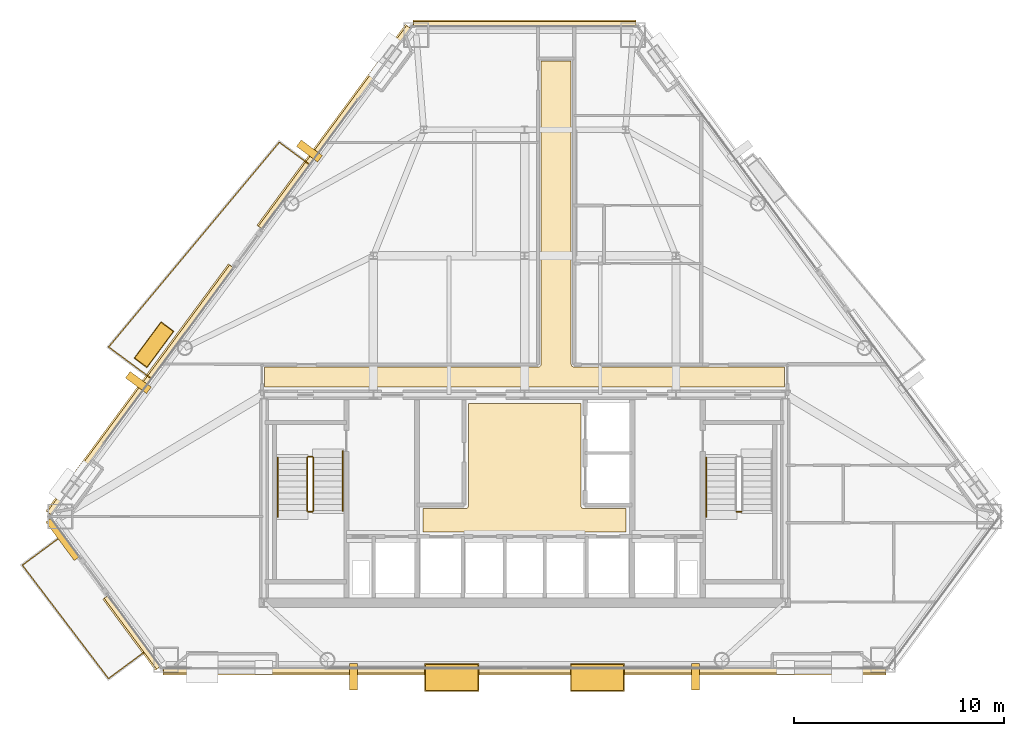
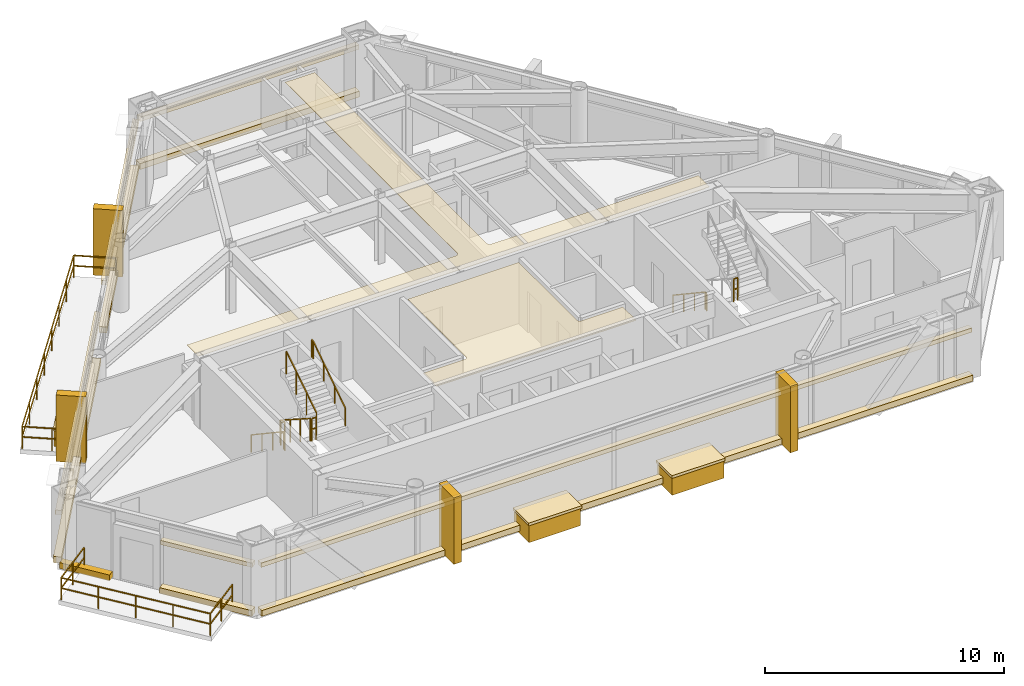
# One storey, part 10 of 11: 23 coverings, 10 railings.
"""IFC4 building model written with IfcOpenShell, lengths in metres."""

from ifc_helpers import new_model, si_unit, direction, frame, origin, origin_2d, place, context, subcontext, project, spatial, polyline, rectangle, outline, extrude, material, layer, layer_set, type_object, element, save


model = new_model("IFC4")

# Units and contexts
model_context = context("Model", 3, precision=1e-05, world=origin(), true_north=direction((0.0, 1.0)))
body_context = subcontext(model_context, "Body", "Model", "MODEL_VIEW")
ifc_project = project(units=[si_unit("LENGTHUNIT", "METRE"), si_unit("AREAUNIT", "SQUARE_METRE"), si_unit("VOLUMEUNIT", "CUBIC_METRE"), si_unit("PLANEANGLEUNIT", "RADIAN"), si_unit("MASSUNIT", "GRAM", prefix="KILO")], contexts=[model_context])

# Site, building, storey
site_placement = place(None, origin())
site = spatial("IfcSite", under=ifc_project, at=site_placement, CompositionType="ELEMENT")
building_placement = place(site_placement, origin())
building = spatial("IfcBuilding", under=site, at=building_placement, Name="Talgorran Terracotta Tower", CompositionType="ELEMENT")
storey_placement = place(building_placement, frame((0.0, 0.0, 129.300048828125)))
storey = spatial("IfcBuildingStorey", under=building, at=storey_placement, Name="L33", CompositionType="ELEMENT", Elevation=129.300048828125)

# Coverings
ifc_material_1 = material(Name="Kiln-Fired Terracotta Ochre Ceramic", Category="masonry")
ifc_layer_1 = layer(ifc_material_1, 0.179931640625, Name="COV_BAGUETTE_TERRACOTTA_SCREEN")
ifc_layer_set_1 = layer_set([ifc_layer_1], Name="Kiln-Fired Terracotta Ochre Ceramic")
covering_type_1 = type_object("IfcCoveringType", Name="COV_BAGUETTE_TERRACOTTA_SCREEN", PredefinedType="CLADDING", material=ifc_layer_set_1)
covering_1_placement = place(storey_placement, frame((-18.651611328125, -15.502197265625, 2.41015625), z_axis=(0.0, 0.0, 1.0), x_axis=(0.594359699802, -0.804199320598, 0.0)))
element("IfcCovering", 1, at=covering_1_placement, inside=storey, type_object=covering_type_1, Name="L33 Terracotta Baguette Solar Screen Assembly F11", PredefinedType="CLADDING", context=body_context, shape_type="SweptSolid", body=[
    extrude(rectangle(XDim=4.197021484375, YDim=0.260009765625, at=origin_2d()), origin(), (0.0, 0.0, 1.0), 0.219970703125),
])
covering_2_placement = place(storey_placement, frame((0.0, -17.31884765625, 2.41015625), z_axis=(0.0, 0.0, 1.0), x_axis=(1.0, 0.0, 0.0)))
element("IfcCovering", 2, at=covering_2_placement, inside=storey, type_object=covering_type_1, Name="L33 Terracotta Baguette Solar Screen Assembly F1", PredefinedType="CLADDING", context=body_context, shape_type="SweptSolid", body=[
    extrude(rectangle(XDim=34.377197265625, YDim=0.260009765625, at=origin_2d()), origin(), (0.0, 0.0, 1.0), 0.219970703125),
])
covering_3_placement = place(storey_placement, frame((0.0, 13.41357421875, 2.41015625), z_axis=(0.0, 0.0, 1.0), x_axis=(-1.0, 0.0, 0.0)))
element("IfcCovering", 3, at=covering_3_placement, inside=storey, type_object=covering_type_1, Name="L33 Terracotta Baguette Solar Screen Assembly F4", PredefinedType="CLADDING", context=body_context, shape_type="SweptSolid", body=[
    extrude(rectangle(XDim=10.586669921875, YDim=0.260009765625, at=origin_2d()), origin(), (0.0, 0.0, 1.0), 0.219970703125),
])
covering_4_placement = place(storey_placement, frame((-9.037109375, 8.510986328125, 2.41015625), z_axis=(0.0, 0.0, 1.0), x_axis=(-0.594359699802, -0.804199320598, 0.0)))
element("IfcCovering", 4, at=covering_4_placement, inside=storey, type_object=covering_type_1, Name="L33 Terracotta Baguette Solar Screen Assembly F60", PredefinedType="CLADDING", context=body_context, shape_type="SweptSolid", body=[
    extrude(rectangle(XDim=11.871337890625, YDim=0.260009765625, at=origin_2d()), origin(), (0.0, 0.0, 1.0), 0.219970703125),
])
covering_5_placement = place(storey_placement, frame((-18.2705078125, -3.982421875, 2.41015625), z_axis=(0.0, 0.0, 1.0), x_axis=(-0.594359699802, -0.804199320598, 0.0)))
element("IfcCovering", 5, at=covering_5_placement, inside=storey, type_object=covering_type_1, Name="L33 Terracotta Baguette Solar Screen Assembly F61", PredefinedType="CLADDING", context=body_context, shape_type="SweptSolid", body=[
    extrude(rectangle(XDim=14.598388671875, YDim=0.260009765625, at=origin_2d()), origin(), (0.0, 0.0, 1.0), 0.219970703125),
])
ifc_material_2 = material(Name="Mineral Fibre Acoustic Tile")
ifc_layer_2 = layer(ifc_material_2, 0.02490234375, Name="COV_CEIL_ACOUSTIC")
ifc_layer_set_2 = layer_set([ifc_layer_2], Name="Mineral Fibre Acoustic Tile")
covering_type_2 = type_object("IfcCoveringType", Name="COV_CEIL_ACOUSTIC", PredefinedType="CEILING", material=ifc_layer_set_2)
covering_6_placement = place(storey_placement, frame((0.0, 0.0, 3.260009765625)))
element("IfcCovering", 6, at=covering_6_placement, inside=storey, type_object=covering_type_2, Name="CEIL-L33-2", PredefinedType="CEILING", context=body_context, shape_type="SweptSolid", body=[
    extrude(outline(polyline([(-12.364990234375, -2.885009765625), (0.64990234375, -2.885009765625), (0.66162109375, -2.884521484375), (0.67333984375, -2.8828125), (0.6845703125, -2.8798828125), (0.69287109375, -2.87744140625), (0.7041015625, -2.87353515625), (0.714599609375, -2.868408203125), (0.724853515625, -2.8623046875), (0.734375, -2.85546875), (0.742919921875, -2.847412109375), (0.7509765625, -2.8388671875), (0.756591796875, -2.83203125), (0.763671875, -2.822509765625), (0.769775390625, -2.8125), (0.774658203125, -2.8017578125), (0.77880859375, -2.79052734375), (0.781494140625, -2.779296875), (0.783203125, -2.767578125), (0.783935546875, -2.755615234375), (0.784912109375, 11.6650390625), (2.215087890625, 11.6650390625), (2.215087890625, -2.75), (2.215576171875, -2.76171875), (2.21728515625, -2.773193359375), (2.22021484375, -2.78466796875), (2.22265625, -2.79296875), (2.2265625, -2.803955078125), (2.231689453125, -2.814697265625), (2.237548828125, -2.82470703125), (2.24462890625, -2.834228515625), (2.25244140625, -2.843017578125), (2.26123046875, -2.850830078125), (2.26806640625, -2.8564453125), (2.277587890625, -2.863525390625), (2.28759765625, -2.86962890625), (2.29833984375, -2.874755859375), (2.309326171875, -2.878662109375), (2.32080078125, -2.881591796875), (2.33251953125, -2.88330078125), (2.34423828125, -2.8837890625), (12.364990234375, -2.885009765625), (12.364990234375, -3.830078125), (12.169921875, -3.830078125), (12.158203125, -3.83056640625), (12.146484375, -3.832275390625), (12.13525390625, -3.835205078125), (12.1240234375, -3.839111328125), (12.11328125, -3.84423828125), (12.112060546875, -3.844970703125), (7.432861328125, -3.844970703125), (6.968017578125, -3.843017578125), (6.967529296875, -3.843017578125), (0.232666015625, -3.844970703125), (-0.23193359375, -3.843017578125), (-0.232421875, -3.843017578125), (-6.96728515625, -3.844970703125), (-7.431884765625, -3.843017578125), (-7.4326171875, -3.843017578125), (-12.112060546875, -3.844970703125), (-12.11328125, -3.84423828125), (-12.1240234375, -3.839111328125), (-12.13525390625, -3.835205078125), (-12.146484375, -3.832275390625), (-12.158203125, -3.83056640625), (-12.169921875, -3.830078125), (-12.364990234375, -3.830078125), (-12.364990234375, -2.885009765625)])), origin(), (0.0, 0.0, 1.0), 0.02001953125),
])
ifc_material_3 = material(Name="Flush Moisture-Resistant Plaster")
ifc_layer_3 = layer(ifc_material_3, 0.01806640625, Name="COV_CEIL_PLASTER")
ifc_layer_set_3 = layer_set([ifc_layer_3], Name="Flush Moisture-Resistant Plaster")
covering_type_3 = type_object("IfcCoveringType", Name="COV_CEIL_PLASTER", PredefinedType="CEILING", material=ifc_layer_set_3)
covering_7_placement = place(storey_placement, frame((0.0, 0.0, 3.260009765625)))
element("IfcCovering", 7, at=covering_7_placement, inside=storey, type_object=covering_type_3, Name="CEIL-L33-1", PredefinedType="CEILING", context=body_context, shape_type="SweptSolid", body=[
    extrude(outline(polyline([(-4.830078125, -9.6201171875), (-2.800048828125, -9.6201171875), (-2.7880859375, -9.619384765625), (-2.776611328125, -9.61767578125), (-2.76513671875, -9.61474609375), (-2.754150390625, -9.61083984375), (-2.743408203125, -9.605712890625), (-2.7333984375, -9.599853515625), (-2.723876953125, -9.5927734375), (-2.715087890625, -9.5849609375), (-2.707275390625, -9.576171875), (-2.7001953125, -9.566650390625), (-2.694091796875, -9.556640625), (-2.689208984375, -9.5458984375), (-2.685302734375, -9.534912109375), (-2.682373046875, -9.5234375), (-2.6806640625, -9.51171875), (-2.679931640625, -9.5), (-2.679931640625, -4.6201171875), (2.679931640625, -4.6201171875), (2.679931640625, -9.5), (2.6806640625, -9.51171875), (2.682373046875, -9.5234375), (2.685302734375, -9.534912109375), (2.689208984375, -9.5458984375), (2.694091796875, -9.556640625), (2.7001953125, -9.566650390625), (2.707275390625, -9.576171875), (2.715087890625, -9.5849609375), (2.723876953125, -9.5927734375), (2.7333984375, -9.599853515625), (2.743408203125, -9.605712890625), (2.754150390625, -9.61083984375), (2.76513671875, -9.61474609375), (2.776611328125, -9.61767578125), (2.7880859375, -9.619384765625), (2.800048828125, -9.6201171875), (4.830078125, -9.6201171875), (4.830078125, -10.72998046875), (-4.830078125, -10.72998046875), (-4.830078125, -9.6201171875)])), origin(), (0.0, 0.0, 1.0), 0.02001953125),
])
ifc_material_4 = material(Name="Honed Limestone and Terracotta Planter", Category="masonry")
ifc_layer_4 = layer(ifc_material_4, 0.1201171875, Name="COV_PLANTER_BOX")
ifc_layer_set_4 = layer_set([ifc_layer_4], Name="Honed Limestone and Terracotta Planter")
covering_type_4 = type_object("IfcCoveringType", Name="COV_PLANTER_BOX", PredefinedType="CLADDING", material=ifc_layer_set_4)
for number, where, z_axis, x_axis, name in (
    (8, (-3.4638671875, -17.658935546875, -0.179931640625), (0.0, 0.0, 1.0), (1.0, 0.0, 0.0), "L33 Staggered South Facade Planter Box 1"),
    (9, (3.4638671875, -17.658935546875, -0.179931640625), (0.0, 0.0, 1.0), (1.0, 0.0, 0.0), "L33 Staggered South Facade Planter Box 2"),
):
    element("IfcCovering", number, at=place(storey_placement, frame(where, z_axis=z_axis, x_axis=x_axis)), inside=storey, type_object=covering_type_4, Name=name, PredefinedType="CLADDING", context=body_context, shape_type="SweptSolid", body=[
        extrude(rectangle(XDim=2.5, YDim=1.25, at=origin_2d()), origin(), (0.0, 0.0, 1.0), 0.919921875),
    ])
covering_8_placement = place(storey_placement, frame((-17.635009765625, -1.826904296875, -0.02001953125), z_axis=(0.0, 0.0, 1.0), x_axis=(-0.594359699802, -0.804199320598, 0.0)))
element("IfcCovering", 10, at=covering_8_placement, inside=storey, type_object=covering_type_4, Name="L33 Staggered Balcony Planter Box BAL-NW", PredefinedType="CLADDING", context=body_context, shape_type="SweptSolid", body=[
    extrude(rectangle(XDim=2.10009765625, YDim=0.719970703125, at=origin_2d()), origin(), (0.0, 0.0, 1.0), 0.860107421875),
])
ifc_material_5 = material(Name="Kiln-Fired Terracotta Planter Rim", Category="masonry")
ifc_layer_5 = layer(ifc_material_5, 0.10009765625, Name="COV_PLANTER_RIM")
ifc_layer_set_5 = layer_set([ifc_layer_5], Name="Kiln-Fired Terracotta Planter Rim")
covering_type_5 = type_object("IfcCoveringType", Name="COV_PLANTER_RIM", PredefinedType="CLADDING", material=ifc_layer_set_5)
for number, where, z_axis, x_axis, name in (
    (11, (-3.4638671875, -17.658935546875, 0.7099609375), (0.0, 0.0, 1.0), (1.0, 0.0, 0.0), "L33 South Planter Terracotta Rim 1"),
    (12, (3.4638671875, -17.658935546875, 0.7099609375), (0.0, 0.0, 1.0), (1.0, 0.0, 0.0), "L33 South Planter Terracotta Rim 2"),
):
    element("IfcCovering", number, at=place(storey_placement, frame(where, z_axis=z_axis, x_axis=x_axis)), inside=storey, type_object=covering_type_5, Name=name, PredefinedType="CLADDING", context=body_context, shape_type="SweptSolid", body=[
        extrude(rectangle(XDim=2.580078125, YDim=1.320068359375, at=origin_2d()), origin(), (0.0, 0.0, 1.0), 0.139892578125),
    ])
covering_9_placement = place(storey_placement, frame((-17.635009765625, -1.826904296875, 0.7998046875), z_axis=(0.0, 0.0, 1.0), x_axis=(-0.594359699802, -0.804199320598, 0.0)))
element("IfcCovering", 13, at=covering_9_placement, inside=storey, type_object=covering_type_5, Name="L33 Balcony Planter Terracotta Rim BAL-NW", PredefinedType="CLADDING", context=body_context, shape_type="SweptSolid", body=[
    extrude(rectangle(XDim=2.179931640625, YDim=0.780029296875, at=origin_2d()), origin(), (0.0, 0.0, 1.0), 0.1201171875),
])
ifc_material_6 = material(Name="Honed Limestone Cladding", Category="masonry")
ifc_layer_6 = layer(ifc_material_6, 0.094970703125, Name="COV_PORTAL_LIME")
ifc_layer_set_6 = layer_set([ifc_layer_6], Name="Honed Limestone Cladding")
covering_type_6 = type_object("IfcCoveringType", Name="COV_PORTAL_LIME", PredefinedType="CLADDING", material=ifc_layer_set_6)
for number, where, z_axis, x_axis, name in (
    (14, (-8.139892578125, -17.618896484375, -0.050048828125), (0.0, 0.0, 1.0), (1.0, 0.0, 0.0), "L33 White Striped Portal Fin F1-1"),
    (15, (-10.238525390625, 7.389892578125, -0.050048828125), (0.0, 0.0, 1.0), (-0.594359699802, -0.804199320598, 0.0), "L33 White Striped Portal Fin F5-1"),
):
    element("IfcCovering", number, at=place(storey_placement, frame(where, z_axis=z_axis, x_axis=x_axis)), inside=storey, type_object=covering_type_6, Name=name, PredefinedType="CLADDING", context=body_context, shape_type="SweptSolid", body=[
        extrude(rectangle(XDim=0.3798828125, YDim=1.25, at=origin_2d()), origin(), (0.0, 0.0, 1.0), 3.39990234375),
    ])
ifc_material_7 = material(Name="Kiln-Fired Terracotta Cladding", Category="masonry")
ifc_layer_7 = layer(ifc_material_7, 0.090087890625, Name="COV_PORTAL_TERRA")
ifc_layer_set_7 = layer_set([ifc_layer_7], Name="Kiln-Fired Terracotta Cladding")
covering_type_7 = type_object("IfcCoveringType", Name="COV_PORTAL_TERRA", PredefinedType="CLADDING", material=ifc_layer_set_7)
covering_10_placement = place(storey_placement, frame((-21.969482421875, -11.080322265625, -0.0400390625), z_axis=(0.0, 0.0, 1.0), x_axis=(0.594345663786, -0.80420969401, 0.0)))
element("IfcCovering", 16, at=covering_10_placement, inside=storey, type_object=covering_type_7, Name="L33 Striped Postmodern Portal Cladding Band F10", PredefinedType="CLADDING", context=body_context, shape_type="SweptSolid", body=[
    extrude(rectangle(XDim=2.279296875, YDim=0.340087890625, at=origin_2d()), origin(), (0.0, 0.0, 1.0), 0.300048828125),
])
covering_11_placement = place(storey_placement, frame((-18.683837890625, -15.526123046875, -0.0400390625), z_axis=(0.0, 0.0, 1.0), x_axis=(0.594359699802, -0.804199320598, 0.0)))
element("IfcCovering", 17, at=covering_11_placement, inside=storey, type_object=covering_type_7, Name="L33 Striped Postmodern Portal Cladding Band F11", PredefinedType="CLADDING", context=body_context, shape_type="SweptSolid", body=[
    extrude(rectangle(XDim=4.216796875, YDim=0.340087890625, at=origin_2d()), origin(), (0.0, 0.0, 1.0), 0.300048828125),
])
covering_12_placement = place(storey_placement, frame((0.0, -17.35888671875, -0.0400390625), z_axis=(0.0, 0.0, 1.0), x_axis=(1.0, 0.0, 0.0)))
element("IfcCovering", 18, at=covering_12_placement, inside=storey, type_object=covering_type_7, Name="L33 Striped Postmodern Portal Cladding Band F1", PredefinedType="CLADDING", context=body_context, shape_type="SweptSolid", body=[
    extrude(rectangle(XDim=34.397216796875, YDim=0.340087890625, at=origin_2d()), origin(), (0.0, 0.0, 1.0), 0.300048828125),
])
covering_13_placement = place(storey_placement, frame((0.0, 13.45361328125, -0.0400390625), z_axis=(0.0, 0.0, 1.0), x_axis=(-1.0, 0.0, 0.0)))
element("IfcCovering", 19, at=covering_13_placement, inside=storey, type_object=covering_type_7, Name="L33 Striped Postmodern Portal Cladding Band F4", PredefinedType="CLADDING", context=body_context, shape_type="SweptSolid", body=[
    extrude(rectangle(XDim=10.606689453125, YDim=0.340087890625, at=origin_2d()), origin(), (0.0, 0.0, 1.0), 0.300048828125),
])
covering_14_placement = place(storey_placement, frame((-9.069091796875, 8.53466796875, -0.0400390625), z_axis=(0.0, 0.0, 1.0), x_axis=(-0.594359699802, -0.804199320598, 0.0)))
element("IfcCovering", 20, at=covering_14_placement, inside=storey, type_object=covering_type_7, Name="L33 Striped Postmodern Portal Cladding Band F60", PredefinedType="CLADDING", context=body_context, shape_type="SweptSolid", body=[
    extrude(rectangle(XDim=11.891357421875, YDim=0.340087890625, at=origin_2d()), origin(), (0.0, 0.0, 1.0), 0.300048828125),
])
covering_15_placement = place(storey_placement, frame((-18.302490234375, -3.95849609375, -0.0400390625), z_axis=(0.0, 0.0, 1.0), x_axis=(-0.594359699802, -0.804199320598, 0.0)))
element("IfcCovering", 21, at=covering_15_placement, inside=storey, type_object=covering_type_7, Name="L33 Striped Postmodern Portal Cladding Band F61", PredefinedType="CLADDING", context=body_context, shape_type="SweptSolid", body=[
    extrude(rectangle(XDim=14.618408203125, YDim=0.340087890625, at=origin_2d()), origin(), (0.0, 0.0, 1.0), 0.300048828125),
])
for number, where, z_axis, x_axis, name in (
    (22, (8.139892578125, -17.618896484375, -0.050048828125), (0.0, 0.0, 1.0), (1.0, 0.0, 0.0), "L33 Terracotta Striped Portal Fin F1-2"),
    (23, (-18.37841796875, -3.623779296875, -0.050048828125), (0.0, 0.0, 1.0), (-0.594359699802, -0.804199320598, 0.0), "L33 Terracotta Striped Portal Fin F5-2"),
):
    element("IfcCovering", number, at=place(storey_placement, frame(where, z_axis=z_axis, x_axis=x_axis)), inside=storey, type_object=covering_type_7, Name=name, PredefinedType="CLADDING", context=body_context, shape_type="SweptSolid", body=[
        extrude(rectangle(XDim=0.3798828125, YDim=1.25, at=origin_2d()), origin(), (0.0, 0.0, 1.0), 3.39990234375),
    ])

# Railings
ifc_material_8 = material(Name="Laminated Glass and Stainless Steel 316", Category="steel")
railing_type_1 = type_object("IfcRailingType", Name="RL_BALCONY_1150", PredefinedType="BALUSTRADE", material=ifc_material_8)
railing_1_placement = place(storey_placement, frame((-10.240234375, 6.748291015625, 0.0)))
element("IfcRailing", 24, at=railing_1_placement, inside=storey, type_object=railing_type_1, Name="RL-L33-BAL-BAL-NW", PredefinedType="BALUSTRADE", context=body_context, shape_type="SweptSolid", body=[
    extrude(rectangle(XDim=0.048095703125, YDim=0.048095703125, at=origin_2d()), frame((0.0, 0.0, 1.1259765625), z_axis=(-0.804224576084, 0.594325526309, 0.0), x_axis=(-0.594325526309, -0.804224576084, 0.0)), (0.0, 0.0, 1.0), 1.78076171875),
    extrude(rectangle(XDim=0.048095703125, YDim=0.048095703125, at=origin_2d()), frame((0.0, 0.0, 0.597900390625), z_axis=(-0.804224576084, 0.594325526309, 0.0), x_axis=(-0.594325526309, -0.804224576084, 0.0)), (0.0, 0.0, 1.0), 1.78076171875),
    extrude(rectangle(XDim=0.048095703125, YDim=0.048095703125, at=origin_2d()), frame((-1.43212890625, 1.058349609375, 1.1259765625), z_axis=(-0.640303677142, -0.768121866007, 0.0), x_axis=(0.768121866007, -0.640303677142, 0.0)), (0.0, 0.0, 1.0), 12.682861328125),
    extrude(rectangle(XDim=0.048095703125, YDim=0.048095703125, at=origin_2d()), frame((-1.43212890625, 1.058349609375, 0.597900390625), z_axis=(-0.640303677142, -0.768121866007, 0.0), x_axis=(0.768121866007, -0.640303677142, 0.0)), (0.0, 0.0, 1.0), 12.682861328125),
    extrude(rectangle(XDim=0.048095703125, YDim=0.048095703125, at=origin_2d()), frame((-9.552978515625, -8.68359375, 1.1259765625), z_axis=(0.804198277554, -0.594361111093, 0.0), x_axis=(0.594361111093, 0.804198277554, 0.0)), (0.0, 0.0, 1.0), 2.521240234375),
    extrude(rectangle(XDim=0.048095703125, YDim=0.048095703125, at=origin_2d()), frame((-9.552978515625, -8.68359375, 0.597900390625), z_axis=(0.804198277554, -0.594361111093, 0.0), x_axis=(0.594361111093, 0.804198277554, 0.0)), (0.0, 0.0, 1.0), 2.521240234375),
    extrude(rectangle(XDim=0.0419921875, YDim=0.0419921875, at=origin_2d()), origin(), (0.0, 0.0, 1.0), 1.101806640625),
    extrude(rectangle(XDim=0.0419921875, YDim=0.0419921875, at=origin_2d()), frame((-1.43212890625, 1.058349609375, 0.0)), (0.0, 0.0, 1.0), 1.101806640625),
    extrude(rectangle(XDim=0.0419921875, YDim=0.0419921875, at=origin_2d()), frame((-2.59228515625, -0.333251953125, 0.0)), (0.0, 0.0, 1.0), 1.101806640625),
    extrude(rectangle(XDim=0.0419921875, YDim=0.0419921875, at=origin_2d()), frame((-3.75244140625, -1.72509765625, 0.0)), (0.0, 0.0, 1.0), 1.101806640625),
    extrude(rectangle(XDim=0.0419921875, YDim=0.0419921875, at=origin_2d()), frame((-4.91259765625, -3.11669921875, 0.0)), (0.0, 0.0, 1.0), 1.101806640625),
    extrude(rectangle(XDim=0.0419921875, YDim=0.0419921875, at=origin_2d()), frame((-6.072509765625, -4.508544921875, 0.0)), (0.0, 0.0, 1.0), 1.101806640625),
    extrude(rectangle(XDim=0.0419921875, YDim=0.0419921875, at=origin_2d()), frame((-7.232666015625, -5.900146484375, 0.0)), (0.0, 0.0, 1.0), 1.101806640625),
    extrude(rectangle(XDim=0.0419921875, YDim=0.0419921875, at=origin_2d()), frame((-8.392822265625, -7.2919921875, 0.0)), (0.0, 0.0, 1.0), 1.101806640625),
    extrude(rectangle(XDim=0.0419921875, YDim=0.0419921875, at=origin_2d()), frame((-9.552978515625, -8.68359375, 0.0)), (0.0, 0.0, 1.0), 1.101806640625),
    extrude(rectangle(XDim=0.0419921875, YDim=0.0419921875, at=origin_2d()), frame((-8.5390625, -9.432861328125, 0.0)), (0.0, 0.0, 1.0), 1.101806640625),
    extrude(rectangle(XDim=0.0419921875, YDim=0.0419921875, at=origin_2d()), frame((-7.525390625, -10.18212890625, 0.0)), (0.0, 0.0, 1.0), 1.101806640625),
])
railing_2_placement = place(storey_placement, frame((-21.964111328125, -10.8857421875, 0.0)))
element("IfcRailing", 25, at=railing_2_placement, inside=storey, type_object=railing_type_1, Name="RL-L33-BAL-BAL-SW", PredefinedType="BALUSTRADE", context=body_context, shape_type="SweptSolid", body=[
    extrude(rectangle(XDim=0.048095703125, YDim=0.048095703125, at=origin_2d()), frame((0.0, 0.0, 1.1259765625), z_axis=(-0.804171921088, -0.594396770966, 0.0), x_axis=(0.594396770966, -0.804171921088, 0.0)), (0.0, 0.0, 1.0), 2.404541015625),
    extrude(rectangle(XDim=0.048095703125, YDim=0.048095703125, at=origin_2d()), frame((0.0, 0.0, 0.597900390625), z_axis=(-0.804171921088, -0.594396770966, 0.0), x_axis=(0.594396770966, -0.804171921088, 0.0)), (0.0, 0.0, 1.0), 2.404541015625),
    extrude(rectangle(XDim=0.048095703125, YDim=0.048095703125, at=origin_2d()), frame((-1.93359375, -1.42919921875, 1.1259765625), z_axis=(0.604779920285, -0.79639264689, 0.0), x_axis=(0.79639264689, 0.604779920285, 0.0)), (0.0, 0.0, 1.0), 6.77587890625),
    extrude(rectangle(XDim=0.048095703125, YDim=0.048095703125, at=origin_2d()), frame((-1.93359375, -1.42919921875, 0.597900390625), z_axis=(0.604779920285, -0.79639264689, 0.0), x_axis=(0.79639264689, 0.604779920285, 0.0)), (0.0, 0.0, 1.0), 6.77587890625),
    extrude(rectangle(XDim=0.048095703125, YDim=0.048095703125, at=origin_2d()), frame((2.164306640625, -6.825439453125, 1.1259765625), z_axis=(0.804204616675, 0.59435253387, 0.0), x_axis=(-0.59435253387, 0.804204616675, 0.0)), (0.0, 0.0, 1.0), 2.31640625),
    extrude(rectangle(XDim=0.048095703125, YDim=0.048095703125, at=origin_2d()), frame((2.164306640625, -6.825439453125, 0.597900390625), z_axis=(0.804204616675, 0.59435253387, 0.0), x_axis=(-0.59435253387, 0.804204616675, 0.0)), (0.0, 0.0, 1.0), 2.31640625),
    extrude(rectangle(XDim=0.0419921875, YDim=0.0419921875, at=origin_2d()), origin(), (0.0, 0.0, 1.0), 1.101806640625),
    extrude(rectangle(XDim=0.0419921875, YDim=0.0419921875, at=origin_2d()), frame((-0.966796875, -0.714599609375, 0.0)), (0.0, 0.0, 1.0), 1.101806640625),
    extrude(rectangle(XDim=0.0419921875, YDim=0.0419921875, at=origin_2d()), frame((-1.93359375, -1.42919921875, 0.0)), (0.0, 0.0, 1.0), 1.101806640625),
    extrude(rectangle(XDim=0.0419921875, YDim=0.0419921875, at=origin_2d()), frame((-0.9091796875, -2.7783203125, 0.0)), (0.0, 0.0, 1.0), 1.101806640625),
    extrude(rectangle(XDim=0.0419921875, YDim=0.0419921875, at=origin_2d()), frame((0.115234375, -4.12744140625, 0.0)), (0.0, 0.0, 1.0), 1.101806640625),
    extrude(rectangle(XDim=0.0419921875, YDim=0.0419921875, at=origin_2d()), frame((1.139892578125, -5.476318359375, 0.0)), (0.0, 0.0, 1.0), 1.101806640625),
    extrude(rectangle(XDim=0.0419921875, YDim=0.0419921875, at=origin_2d()), frame((2.164306640625, -6.825439453125, 0.0)), (0.0, 0.0, 1.0), 1.101806640625),
    extrude(rectangle(XDim=0.0419921875, YDim=0.0419921875, at=origin_2d()), frame((3.095703125, -6.13720703125, 0.0)), (0.0, 0.0, 1.0), 1.101806640625),
    extrude(rectangle(XDim=0.0419921875, YDim=0.0419921875, at=origin_2d()), frame((4.027099609375, -5.44873046875, 0.0)), (0.0, 0.0, 1.0), 1.101806640625),
])
ifc_material_9 = material(Name="Steel S355 (300PLUS)", Category="steel")
railing_type_2 = type_object("IfcRailingType", Name="RL_HANDRAIL_920", PredefinedType="HANDRAIL", material=ifc_material_9)
railing_3_placement = place(storey_placement, frame((-11.75, -7.199951171875, 0.179931640625)))
element("IfcRailing", 26, at=railing_3_placement, inside=storey, type_object=railing_type_2, Name="L33 ST-01 stair handrail 1", PredefinedType="HANDRAIL", context=body_context, shape_type="SweptSolid", body=[
    extrude(rectangle(XDim=0.048095703125, YDim=0.048095703125, at=origin_2d()), frame((0.0, 0.0, 0.89599609375), z_axis=(0.0, -0.832038719335, 0.554717558338), x_axis=(1.0, 0.0, 0.0)), (0.0, 0.0, 1.0), 3.244873046875),
    extrude(rectangle(XDim=0.048095703125, YDim=0.048095703125, at=origin_2d()), frame((0.0, -2.699951171875, 2.69580078125), z_axis=(0.0, -1.0, 0.0), x_axis=(1.0, 0.0, 0.0)), (0.0, 0.0, 1.0), 0.1201171875),
    extrude(rectangle(XDim=0.0419921875, YDim=0.0419921875, at=origin_2d()), origin(), (0.0, 0.0, 1.0), 0.871826171875),
    extrude(rectangle(XDim=0.0419921875, YDim=0.0419921875, at=origin_2d()), frame((0.0, -0.89990234375, 0.60009765625)), (0.0, 0.0, 1.0), 0.871826171875),
    extrude(rectangle(XDim=0.0419921875, YDim=0.0419921875, at=origin_2d()), frame((0.0, -1.800048828125, 1.199951171875)), (0.0, 0.0, 1.0), 0.871826171875),
    extrude(rectangle(XDim=0.0419921875, YDim=0.0419921875, at=origin_2d()), frame((0.0, -2.699951171875, 1.800048828125)), (0.0, 0.0, 1.0), 0.871826171875),
    extrude(rectangle(XDim=0.0419921875, YDim=0.0419921875, at=origin_2d()), frame((0.0, -2.820068359375, 1.800048828125)), (0.0, 0.0, 1.0), 0.871826171875),
])
railing_4_placement = place(storey_placement, frame((-8.64990234375, -9.719970703125, 1.97998046875)))
element("IfcRailing", 27, at=railing_4_placement, inside=storey, type_object=railing_type_2, Name="L33 ST-01 stair handrail 2", PredefinedType="HANDRAIL", context=body_context, shape_type="SweptSolid", body=[
    extrude(rectangle(XDim=0.048095703125, YDim=0.048095703125, at=origin_2d()), frame((0.0, 0.0, 0.89599609375), z_axis=(0.0, 0.832038719335, 0.554717558338), x_axis=(-1.0, 0.0, 0.0)), (0.0, 0.0, 1.0), 3.244873046875),
    extrude(rectangle(XDim=0.048095703125, YDim=0.048095703125, at=origin_2d()), frame((0.0, 2.699951171875, 2.69580078125), z_axis=(0.0, 1.0, 0.0), x_axis=(-1.0, 0.0, 0.0)), (0.0, 0.0, 1.0), 0.1201171875),
    extrude(rectangle(XDim=0.0419921875, YDim=0.0419921875, at=origin_2d()), origin(), (0.0, 0.0, 1.0), 0.871826171875),
    extrude(rectangle(XDim=0.0419921875, YDim=0.0419921875, at=origin_2d()), frame((0.0, 0.89990234375, 0.60009765625)), (0.0, 0.0, 1.0), 0.871826171875),
    extrude(rectangle(XDim=0.0419921875, YDim=0.0419921875, at=origin_2d()), frame((0.0, 1.800048828125, 1.199951171875)), (0.0, 0.0, 1.0), 0.871826171875),
    extrude(rectangle(XDim=0.0419921875, YDim=0.0419921875, at=origin_2d()), frame((0.0, 2.699951171875, 1.800048828125)), (0.0, 0.0, 1.0), 0.871826171875),
    extrude(rectangle(XDim=0.0419921875, YDim=0.0419921875, at=origin_2d()), frame((0.0, 2.820068359375, 1.800048828125)), (0.0, 0.0, 1.0), 0.871826171875),
])
railing_5_placement = place(storey_placement, frame((8.64990234375, -7.199951171875, 0.179931640625)))
element("IfcRailing", 28, at=railing_5_placement, inside=storey, type_object=railing_type_2, Name="L33 ST-02 stair handrail 1", PredefinedType="HANDRAIL", context=body_context, shape_type="SweptSolid", body=[
    extrude(rectangle(XDim=0.048095703125, YDim=0.048095703125, at=origin_2d()), frame((0.0, 0.0, 0.89599609375), z_axis=(0.0, -0.832038719335, 0.554717558338), x_axis=(1.0, 0.0, 0.0)), (0.0, 0.0, 1.0), 3.244873046875),
    extrude(rectangle(XDim=0.048095703125, YDim=0.048095703125, at=origin_2d()), frame((0.0, -2.699951171875, 2.69580078125), z_axis=(0.0, -1.0, 0.0), x_axis=(1.0, 0.0, 0.0)), (0.0, 0.0, 1.0), 0.1201171875),
    extrude(rectangle(XDim=0.0419921875, YDim=0.0419921875, at=origin_2d()), origin(), (0.0, 0.0, 1.0), 0.871826171875),
    extrude(rectangle(XDim=0.0419921875, YDim=0.0419921875, at=origin_2d()), frame((0.0, -0.89990234375, 0.60009765625)), (0.0, 0.0, 1.0), 0.871826171875),
    extrude(rectangle(XDim=0.0419921875, YDim=0.0419921875, at=origin_2d()), frame((0.0, -1.800048828125, 1.199951171875)), (0.0, 0.0, 1.0), 0.871826171875),
    extrude(rectangle(XDim=0.0419921875, YDim=0.0419921875, at=origin_2d()), frame((0.0, -2.699951171875, 1.800048828125)), (0.0, 0.0, 1.0), 0.871826171875),
    extrude(rectangle(XDim=0.0419921875, YDim=0.0419921875, at=origin_2d()), frame((0.0, -2.820068359375, 1.800048828125)), (0.0, 0.0, 1.0), 0.871826171875),
])
railing_type_3 = type_object("IfcRailingType", Name="RL_STAIR_GUARD", PredefinedType="GUARDRAIL", material=ifc_material_9)
railing_6_placement = place(storey_placement, frame((-10.35009765625, -7.199951171875, 0.179931640625)))
element("IfcRailing", 29, at=railing_6_placement, inside=storey, type_object=railing_type_3, Name="L33 ST-01 stair guard 1", PredefinedType="GUARDRAIL", context=body_context, shape_type="SweptSolid", body=[
    extrude(rectangle(XDim=0.048095703125, YDim=0.048095703125, at=origin_2d()), frame((0.0, 0.0, 1.15576171875), z_axis=(0.0, -0.841162588446, 0.540782303519), x_axis=(1.0, 0.0, 0.0)), (0.0, 0.0, 1.0), 2.995849609375),
    extrude(rectangle(XDim=0.0419921875, YDim=0.0419921875, at=origin_2d()), origin(), (0.0, 0.0, 1.0), 1.1318359375),
    extrude(rectangle(XDim=0.0419921875, YDim=0.0419921875, at=origin_2d()), frame((0.0, -0.840087890625, 0.5400390625)), (0.0, 0.0, 1.0), 1.1318359375),
    extrude(rectangle(XDim=0.0419921875, YDim=0.0419921875, at=origin_2d()), frame((0.0, -1.679931640625, 1.080078125)), (0.0, 0.0, 1.0), 1.1318359375),
    extrude(rectangle(XDim=0.0419921875, YDim=0.0419921875, at=origin_2d()), frame((0.0, -2.52001953125, 1.6201171875)), (0.0, 0.0, 1.0), 1.1318359375),
])
railing_7_placement = place(storey_placement, frame((-10.300048828125, -9.77001953125, 1.800048828125)))
element("IfcRailing", 30, at=railing_7_placement, inside=storey, type_object=railing_type_3, Name="L33 ST-01 stair guard 2", PredefinedType="GUARDRAIL", context=body_context, shape_type="SweptSolid", body=[
    extrude(rectangle(XDim=0.048095703125, YDim=0.048095703125, at=origin_2d()), frame((0.0, 0.0, 1.15576171875), z_axis=(1.0, 0.0, 0.0), x_axis=(0.0, 1.0, 0.0)), (0.0, 0.0, 1.0), 0.199951171875),
    extrude(rectangle(XDim=0.048095703125, YDim=0.048095703125, at=origin_2d()), frame((0.0, 0.0, 0.613525390625), z_axis=(1.0, 0.0, 0.0), x_axis=(0.0, 1.0, 0.0)), (0.0, 0.0, 1.0), 0.199951171875),
    extrude(rectangle(XDim=0.0419921875, YDim=0.0419921875, at=origin_2d()), origin(), (0.0, 0.0, 1.0), 1.1318359375),
    extrude(rectangle(XDim=0.0419921875, YDim=0.0419921875, at=origin_2d()), frame((0.199951171875, 0.0, 0.0)), (0.0, 0.0, 1.0), 1.1318359375),
])
railing_8_placement = place(storey_placement, frame((-10.050048828125, -9.719970703125, 1.97998046875)))
element("IfcRailing", 31, at=railing_8_placement, inside=storey, type_object=railing_type_3, Name="L33 ST-01 stair guard 3", PredefinedType="GUARDRAIL", context=body_context, shape_type="SweptSolid", body=[
    extrude(rectangle(XDim=0.048095703125, YDim=0.048095703125, at=origin_2d()), frame((0.0, 0.0, 1.15576171875), z_axis=(0.0, 0.841199657755, 0.540724639528), x_axis=(-1.0, 0.0, 0.0)), (0.0, 0.0, 1.0), 2.995849609375),
    extrude(rectangle(XDim=0.0419921875, YDim=0.0419921875, at=origin_2d()), origin(), (0.0, 0.0, 1.0), 1.1318359375),
    extrude(rectangle(XDim=0.0419921875, YDim=0.0419921875, at=origin_2d()), frame((0.0, 0.840087890625, 0.5400390625)), (0.0, 0.0, 1.0), 1.1318359375),
    extrude(rectangle(XDim=0.0419921875, YDim=0.0419921875, at=origin_2d()), frame((0.0, 1.679931640625, 1.079833984375)), (0.0, 0.0, 1.0), 1.1318359375),
    extrude(rectangle(XDim=0.0419921875, YDim=0.0419921875, at=origin_2d()), frame((0.0, 2.52001953125, 1.619873046875)), (0.0, 0.0, 1.0), 1.1318359375),
])
for number, where, name in (
    (32, (-10.300048828125, -7.14990234375, 0.0), "L33 ST-01 stair guard 4"),
    (33, (10.10009765625, -9.77001953125, 1.800048828125), "L33 ST-02 stair guard 2"),
):
    element("IfcRailing", number, at=place(storey_placement, frame(where)), inside=storey, type_object=railing_type_3, Name=name, PredefinedType="GUARDRAIL", context=body_context, shape_type="SweptSolid", body=[
        extrude(rectangle(XDim=0.048095703125, YDim=0.048095703125, at=origin_2d()), frame((0.0, 0.0, 1.15576171875), z_axis=(1.0, 0.0, 0.0), x_axis=(0.0, 1.0, 0.0)), (0.0, 0.0, 1.0), 0.199951171875),
        extrude(rectangle(XDim=0.048095703125, YDim=0.048095703125, at=origin_2d()), frame((0.0, 0.0, 0.613525390625), z_axis=(1.0, 0.0, 0.0), x_axis=(0.0, 1.0, 0.0)), (0.0, 0.0, 1.0), 0.199951171875),
        extrude(rectangle(XDim=0.0419921875, YDim=0.0419921875, at=origin_2d()), origin(), (0.0, 0.0, 1.0), 1.1318359375),
        extrude(rectangle(XDim=0.0419921875, YDim=0.0419921875, at=origin_2d()), frame((0.199951171875, 0.0, 0.0)), (0.0, 0.0, 1.0), 1.1318359375),
    ])

save(model, "model.ifc")
